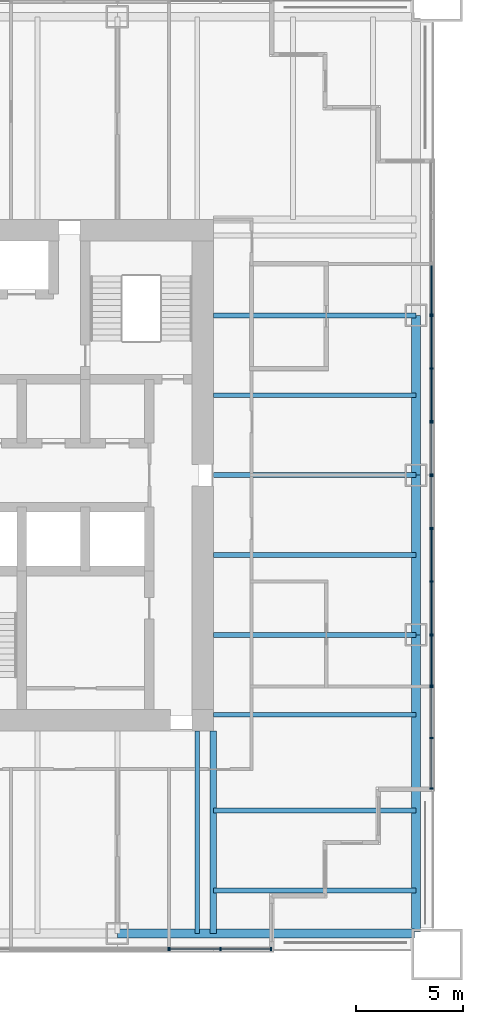
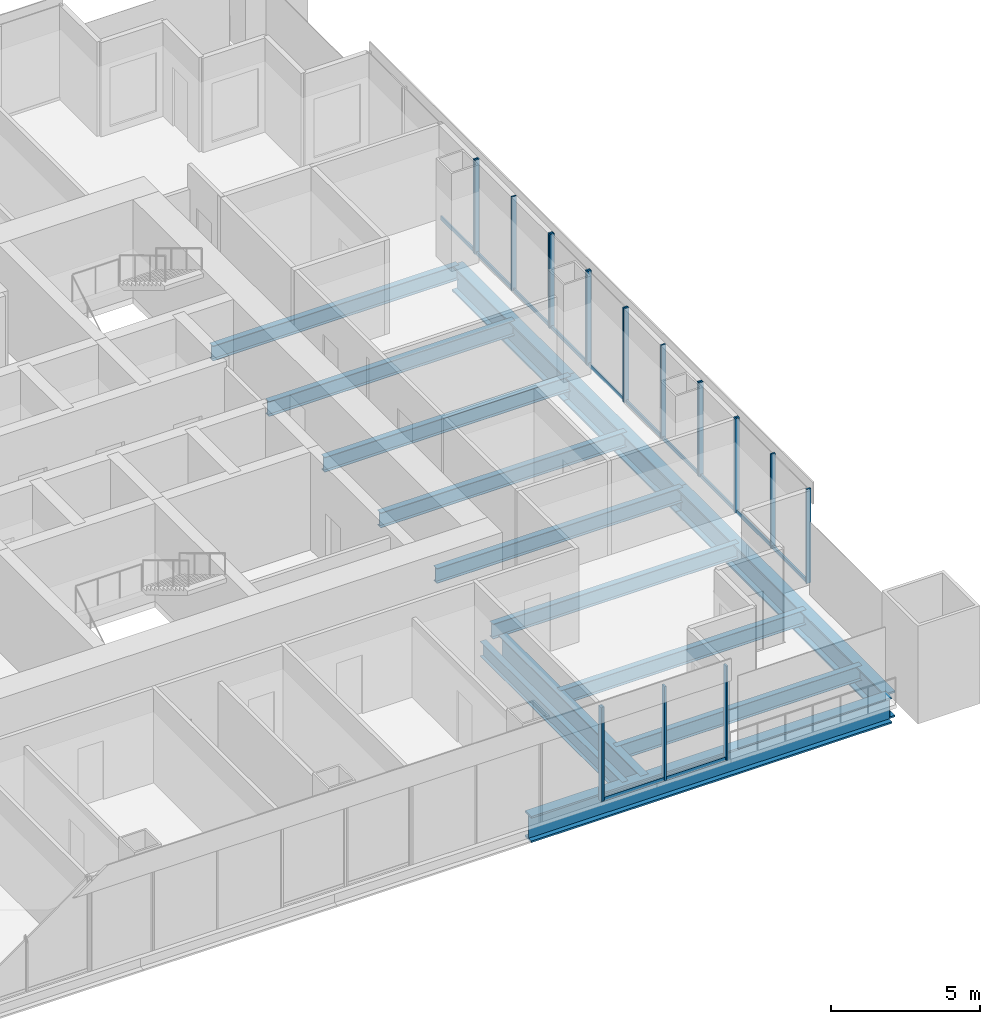
# One storey, part 4 of 13: 32 members, 14 beams, 9 elements without a shape of their own.
"""IFC4 building model written with IfcOpenShell, lengths in metres."""

from ifc_helpers import new_model, si_unit, direction, frame, origin, origin_2d, place, context, subcontext, project, spatial, rectangle, i_section, extrude, material, material_profile, profile_set, type_object, element, aggregate, save


model = new_model("IFC4")

# Units and contexts
model_context = context("Model", 3, precision=1e-05, world=origin(), true_north=direction((0.0, 1.0)))
body_context = subcontext(model_context, "Body", "Model", "MODEL_VIEW")
ifc_project = project(units=[si_unit("LENGTHUNIT", "METRE"), si_unit("AREAUNIT", "SQUARE_METRE"), si_unit("VOLUMEUNIT", "CUBIC_METRE"), si_unit("PLANEANGLEUNIT", "RADIAN"), si_unit("MASSUNIT", "GRAM", prefix="KILO")], contexts=[model_context])

# Site, building, storey
site_placement = place(None, origin())
site = spatial("IfcSite", under=ifc_project, at=site_placement, CompositionType="ELEMENT")
building_placement = place(site_placement, origin())
building = spatial("IfcBuilding", under=site, at=building_placement, Name="Tarangal Relay Tower", CompositionType="ELEMENT")
storey_placement = place(building_placement, frame((0.0, 0.0, 189.89990234375)))
storey = spatial("IfcBuildingStorey", under=building, at=storey_placement, Name="L39", CompositionType="ELEMENT", Elevation=189.89990234375)

# Beams
ifc_material_1 = material(Name="Steel ASTM A992", Category="steel")
ifc_material_profile_1 = material_profile(ifc_material_1, i_section(OverallWidth=0.227783203125, OverallDepth=0.60205078125, WebThickness=0.010498046875, FlangeThickness=0.014892578125, at=origin_2d()), Name="W24X68")
ifc_profile_set_1 = profile_set([ifc_material_profile_1], Name="Steel ASTM A992")
beam_type_1 = type_object("IfcBeamType", Name="Corner beam W24X68", PredefinedType="JOIST", material=ifc_profile_set_1)
for number, where, z_axis, x_axis, name in (
    (1, (12.0, -15.75, -0.450927734375), (1.0, 0.0, 0.0), (0.0, 1.0, 0.0), "Corner beam CB11 E L39"),
    (2, (12.0, -19.5, -0.450927734375), (1.0, 0.0, 0.0), (0.0, 1.0, 0.0), "Corner beam CB11 E L39"),
):
    element("IfcBeam", number, at=place(storey_placement, frame(where, z_axis=z_axis, x_axis=x_axis)), inside=storey, type_object=beam_type_1, Name=name, PredefinedType="JOIST", context=body_context, shape_type="SweptSolid", body=[
        extrude(i_section(OverallWidth=0.227783203125, OverallDepth=0.60205078125, WebThickness=0.010498046875, FlangeThickness=0.014892578125, at=origin_2d()), origin(), (0.0, 0.0, 1.0), 9.514892578125),
    ])
ifc_material_profile_2 = material_profile(ifc_material_1, i_section(OverallWidth=0.307373046875, OverallDepth=0.9423828125, WebThickness=0.022216796875, FlangeThickness=0.039794921875, at=origin_2d()), Name="W36X232")
ifc_profile_set_2 = profile_set([ifc_material_profile_2], Name="Steel ASTM A992")
beam_type_2 = type_object("IfcBeamType", Name="Corner girder W36X232", PredefinedType="BEAM", material=ifc_profile_set_2)
beam_placement = place(storey_placement, frame((12.0, -12.0, -0.62109375), z_axis=(0.0, -1.0, 0.0), x_axis=(1.0, 0.0, 0.0)))
element("IfcBeam", 3, at=beam_placement, inside=storey, type_object=beam_type_2, Name="Corner girder CG4 E L39", PredefinedType="BEAM", context=body_context, shape_type="SweptSolid", body=[
    extrude(i_section(OverallWidth=0.307373046875, OverallDepth=0.9423828125, WebThickness=0.022216796875, FlangeThickness=0.039794921875, at=origin_2d()), origin(), (0.0, 0.0, 1.0), 9.514892578125),
])
ifc_material_profile_3 = material_profile(ifc_material_1, i_section(OverallWidth=0.41650390625, OverallDepth=1.0693359375, WebThickness=0.0390625, FlangeThickness=0.070068359375, at=origin_2d()), Name="W40X503")
ifc_profile_set_3 = profile_set([ifc_material_profile_3], Name="Steel ASTM A992")
beam_type_3 = type_object("IfcBeamType", Name="Edge girder W40X503", PredefinedType="SPANDREL", material=ifc_profile_set_3)
for number, where, z_axis, x_axis, name in (
    (4, (21.514892578125, 7.5, -0.6845703125), (0.0, -1.0, 0.0), (1.0, 0.0, 0.0), "Edge girder EG8 E L39"),
    (5, (21.514892578125, 0.0, -0.6845703125), (0.0, -1.0, 0.0), (1.0, 0.0, 0.0), "Edge girder EG8 E L39"),
):
    element("IfcBeam", number, at=place(storey_placement, frame(where, z_axis=z_axis, x_axis=x_axis)), inside=storey, type_object=beam_type_3, Name=name, PredefinedType="SPANDREL", context=body_context, shape_type="SweptSolid", body=[
        extrude(i_section(OverallWidth=0.41650390625, OverallDepth=1.0693359375, WebThickness=0.0390625, FlangeThickness=0.070068359375, at=origin_2d()), origin(), (0.0, 0.0, 1.0), 7.5),
    ])
for number, where, z_axis, x_axis, name in (
    (6, (21.514892578125, -7.5, -0.6845703125), (0.0, -1.0, 0.0), (1.0, 0.0, 0.0), "Edge girder EG8 E L39"),
    (7, (21.449951171875, -21.514892578125, -0.6845703125), (-1.0, 0.0, 0.0), (0.0, -1.0, 0.0), "Edge girder EG8 S L39"),
):
    element("IfcBeam", number, at=place(storey_placement, frame(where, z_axis=z_axis, x_axis=x_axis)), inside=storey, type_object=beam_type_3, Name=name, PredefinedType="SPANDREL", context=body_context, shape_type="SweptSolid", body=[
        extrude(i_section(OverallWidth=0.41650390625, OverallDepth=1.0693359375, WebThickness=0.0390625, FlangeThickness=0.070068359375, at=origin_2d()), origin(), (0.0, 0.0, 1.0), 13.949951171875),
    ])
ifc_material_profile_4 = material_profile(ifc_material_1, i_section(OverallWidth=0.22900390625, OverallDepth=0.612060546875, WebThickness=0.011962890625, FlangeThickness=0.01953125, at=origin_2d()), Name="W24X84")
ifc_profile_set_4 = profile_set([ifc_material_profile_4], Name="Steel ASTM A992")
beam_type_4 = type_object("IfcBeamType", Name="Floor beam W24X84", PredefinedType="BEAM", material=ifc_profile_set_4)
for number, where, z_axis, x_axis, name in (
    (8, (12.0, 7.5, -0.455810546875), (1.0, 0.0, 0.0), (0.0, 1.0, 0.0), "Floor beam RB12 E L39"),
    (9, (12.0, 3.75, -0.455810546875), (1.0, 0.0, 0.0), (0.0, 1.0, 0.0), "Floor beam RB12 E L39"),
    (10, (12.0, 0.0, -0.455810546875), (1.0, 0.0, 0.0), (0.0, 1.0, 0.0), "Floor beam RB12 E L39"),
    (11, (12.0, -3.75, -0.455810546875), (1.0, 0.0, 0.0), (0.0, 1.0, 0.0), "Floor beam RB12 E L39"),
    (12, (12.0, -7.5, -0.455810546875), (1.0, 0.0, 0.0), (0.0, 1.0, 0.0), "Floor beam RB12 E L39"),
    (13, (12.0, -11.25, -0.455810546875), (1.0, 0.0, 0.0), (0.0, 1.0, 0.0), "Floor beam RB12 E L39"),
    (14, (11.25, -12.0, -0.455810546875), (0.0, -1.0, 0.0), (1.0, 0.0, 0.0), "Floor beam RB12 S L39"),
):
    element("IfcBeam", number, at=place(storey_placement, frame(where, z_axis=z_axis, x_axis=x_axis)), inside=storey, type_object=beam_type_4, Name=name, PredefinedType="BEAM", context=body_context, shape_type="SweptSolid", body=[
        extrude(i_section(OverallWidth=0.22900390625, OverallDepth=0.612060546875, WebThickness=0.011962890625, FlangeThickness=0.01953125, at=origin_2d()), origin(), (0.0, 0.0, 1.0), 9.514892578125),
    ])

# Curtain wall, members
ifc_material_2 = material(Name="Unitised curtain wall, dark glass and black aluminium", Category="aluminium")
curtain_wall_type_1 = type_object("IfcCurtainWallType", Name="Curtain wall CW-A", PredefinedType="USERDEFINED", material=ifc_material_2)
curtain_wall_1_placement = place(storey_placement, origin())
curtain_wall_1 = element("IfcCurtainWall", 15, at=curtain_wall_1_placement, inside=storey, type_object=curtain_wall_type_1, Name="Curtain wall CW-A E facade L39", ObjectType="UNITISED CURTAIN WALL", PredefinedType="USERDEFINED")
ifc_material_3 = material(Name="Black anodised aluminium mullion", Category="aluminium")
ifc_material_profile_5 = material_profile(ifc_material_3, rectangle(XDim=0.175048828125, YDim=0.06494140625, at=origin_2d()), Name="CW-AM 65X175")
ifc_profile_set_5 = profile_set([ifc_material_profile_5], Name="Black anodised aluminium mullion")
member_type_1 = type_object("IfcMemberType", Name="Mullion CW-A 65 x 175", PredefinedType="MULLION", material=ifc_profile_set_5)
member_1_placement = place(storey_placement, frame((22.25, 2.467529296875, 0.0), z_axis=(0.0, 0.0, 1.0), x_axis=(1.0, 0.0, 0.0)))
member_1 = element("IfcMember", 16, at=member_1_placement, type_object=member_type_1, Name="CW-A mullion 1", PredefinedType="MULLION", context=body_context, shape_type="SweptSolid", body=[
    extrude(rectangle(XDim=0.175048828125, YDim=0.06494140625, at=origin_2d()), origin(), (0.0, 0.0, 1.0), 3.85009765625),
])
member_2_placement = place(storey_placement, frame((22.25, 0.032470703125, 0.0), z_axis=(0.0, 0.0, 1.0), x_axis=(1.0, 0.0, 0.0)))
member_2 = element("IfcMember", 17, at=member_2_placement, type_object=member_type_1, Name="CW-A mullion 2", PredefinedType="MULLION", context=body_context, shape_type="SweptSolid", body=[
    extrude(rectangle(XDim=0.175048828125, YDim=0.06494140625, at=origin_2d()), origin(), (0.0, 0.0, 1.0), 3.85009765625),
])

curtain_wall_2_placement = place(storey_placement, origin())
curtain_wall_2 = element("IfcCurtainWall", 18, at=curtain_wall_2_placement, inside=storey, type_object=curtain_wall_type_1, Name="Curtain wall CW-A E facade L39", ObjectType="UNITISED CURTAIN WALL", PredefinedType="USERDEFINED")
member_3_placement = place(storey_placement, frame((22.25, -0.032470703125, 0.0), z_axis=(0.0, 0.0, 1.0), x_axis=(1.0, 0.0, 0.0)))
member_3 = element("IfcMember", 19, at=member_3_placement, type_object=member_type_1, Name="CW-A mullion 1", PredefinedType="MULLION", context=body_context, shape_type="SweptSolid", body=[
    extrude(rectangle(XDim=0.175048828125, YDim=0.06494140625, at=origin_2d()), origin(), (0.0, 0.0, 1.0), 3.85009765625),
])
member_4_placement = place(storey_placement, frame((22.25, -2.467529296875, 0.0), z_axis=(0.0, 0.0, 1.0), x_axis=(1.0, 0.0, 0.0)))
member_4 = element("IfcMember", 20, at=member_4_placement, type_object=member_type_1, Name="CW-A mullion 2", PredefinedType="MULLION", context=body_context, shape_type="SweptSolid", body=[
    extrude(rectangle(XDim=0.175048828125, YDim=0.06494140625, at=origin_2d()), origin(), (0.0, 0.0, 1.0), 3.85009765625),
])

curtain_wall_3_placement = place(storey_placement, origin())
curtain_wall_3 = element("IfcCurtainWall", 21, at=curtain_wall_3_placement, inside=storey, type_object=curtain_wall_type_1, Name="Curtain wall CW-A E facade L39", ObjectType="UNITISED CURTAIN WALL", PredefinedType="USERDEFINED")
member_5_placement = place(storey_placement, frame((22.25, -9.94921875, 0.0), z_axis=(0.0, 0.0, 1.0), x_axis=(1.0, 0.0, 0.0)))
member_5 = element("IfcMember", 22, at=member_5_placement, type_object=member_type_1, Name="CW-A mullion 1", PredefinedType="MULLION", context=body_context, shape_type="SweptSolid", body=[
    extrude(rectangle(XDim=0.175048828125, YDim=0.06494140625, at=origin_2d()), origin(), (0.0, 0.0, 1.0), 3.85009765625),
])
member_6_placement = place(storey_placement, frame((22.25, -12.333251953125, 0.0), z_axis=(0.0, 0.0, 1.0), x_axis=(1.0, 0.0, 0.0)))
member_6 = element("IfcMember", 23, at=member_6_placement, type_object=member_type_1, Name="CW-A mullion 2", PredefinedType="MULLION", context=body_context, shape_type="SweptSolid", body=[
    extrude(rectangle(XDim=0.175048828125, YDim=0.06494140625, at=origin_2d()), origin(), (0.0, 0.0, 1.0), 3.85009765625),
])
member_7_placement = place(storey_placement, frame((22.25, -14.717529296875, 0.0), z_axis=(0.0, 0.0, 1.0), x_axis=(1.0, 0.0, 0.0)))
member_7 = element("IfcMember", 24, at=member_7_placement, type_object=member_type_1, Name="CW-A mullion 3", PredefinedType="MULLION", context=body_context, shape_type="SweptSolid", body=[
    extrude(rectangle(XDim=0.175048828125, YDim=0.06494140625, at=origin_2d()), origin(), (0.0, 0.0, 1.0), 3.85009765625),
])

curtain_wall_4_placement = place(storey_placement, origin())
curtain_wall_4 = element("IfcCurtainWall", 25, at=curtain_wall_4_placement, inside=storey, type_object=curtain_wall_type_1, Name="Curtain wall CW-A S facade L39", ObjectType="UNITISED CURTAIN WALL", PredefinedType="USERDEFINED")
member_8_placement = place(storey_placement, frame((14.717529296875, -22.25, 0.0), z_axis=(0.0, 0.0, 1.0), x_axis=(0.0, -1.0, 0.0)))
member_8 = element("IfcMember", 26, at=member_8_placement, type_object=member_type_1, Name="CW-A mullion 1", PredefinedType="MULLION", context=body_context, shape_type="SweptSolid", body=[
    extrude(rectangle(XDim=0.175048828125, YDim=0.06494140625, at=origin_2d()), origin(), (0.0, 0.0, 1.0), 3.85009765625),
])
member_9_placement = place(storey_placement, frame((12.333251953125, -22.25, 0.0), z_axis=(0.0, 0.0, 1.0), x_axis=(0.0, -1.0, 0.0)))
member_9 = element("IfcMember", 27, at=member_9_placement, type_object=member_type_1, Name="CW-A mullion 2", PredefinedType="MULLION", context=body_context, shape_type="SweptSolid", body=[
    extrude(rectangle(XDim=0.175048828125, YDim=0.06494140625, at=origin_2d()), origin(), (0.0, 0.0, 1.0), 3.85009765625),
])
member_10_placement = place(storey_placement, frame((9.94921875, -22.25, 0.0), z_axis=(0.0, 0.0, 1.0), x_axis=(0.0, -1.0, 0.0)))
member_10 = element("IfcMember", 28, at=member_10_placement, type_object=member_type_1, Name="CW-A mullion 3", PredefinedType="MULLION", context=body_context, shape_type="SweptSolid", body=[
    extrude(rectangle(XDim=0.175048828125, YDim=0.06494140625, at=origin_2d()), origin(), (0.0, 0.0, 1.0), 3.85009765625),
])

# Curtain wall, member
ifc_material_4 = material(Name="Unitised curtain wall frame, black aluminium, with metal clad infill walls", Category="aluminium")
curtain_wall_type_2 = type_object("IfcCurtainWallType", Name="Curtain wall CW-AO", PredefinedType="USERDEFINED", material=ifc_material_4)
curtain_wall_5_placement = place(storey_placement, origin())
curtain_wall_5 = element("IfcCurtainWall", 29, at=curtain_wall_5_placement, inside=storey, type_object=curtain_wall_type_2, Name="Curtain wall CW-AO E facade L39", ObjectType="UNITISED CURTAIN WALL", PredefinedType="USERDEFINED")
ifc_material_profile_6 = material_profile(ifc_material_3, rectangle(XDim=0.175048828125, YDim=0.06494140625, at=origin_2d()), Name="CW-AOM 65X175")
ifc_profile_set_6 = profile_set([ifc_material_profile_6], Name="Black anodised aluminium mullion")
member_type_2 = type_object("IfcMemberType", Name="Mullion CW-AO 65 x 175", PredefinedType="MULLION", material=ifc_profile_set_6)
member_11_placement = place(storey_placement, frame((22.25, 7.532470703125, 0.0), z_axis=(0.0, 0.0, 1.0), x_axis=(1.0, 0.0, 0.0)))
member_11 = element("IfcMember", 30, at=member_11_placement, type_object=member_type_2, Name="CW-AO mullion 2", PredefinedType="MULLION", context=body_context, shape_type="SweptSolid", body=[
    extrude(rectangle(XDim=0.175048828125, YDim=0.06494140625, at=origin_2d()), origin(), (0.0, 0.0, 1.0), 3.85009765625),
])

# Curtain wall, members
curtain_wall_6_placement = place(storey_placement, origin())
curtain_wall_6 = element("IfcCurtainWall", 31, at=curtain_wall_6_placement, inside=storey, type_object=curtain_wall_type_2, Name="Curtain wall CW-AO E facade L39", ObjectType="UNITISED CURTAIN WALL", PredefinedType="USERDEFINED")
member_12_placement = place(storey_placement, frame((22.25, 7.467529296875, 0.0), z_axis=(0.0, 0.0, 1.0), x_axis=(1.0, 0.0, 0.0)))
member_12 = element("IfcMember", 32, at=member_12_placement, type_object=member_type_2, Name="CW-AO mullion 1", PredefinedType="MULLION", context=body_context, shape_type="SweptSolid", body=[
    extrude(rectangle(XDim=0.175048828125, YDim=0.06494140625, at=origin_2d()), origin(), (0.0, 0.0, 1.0), 3.85009765625),
])
member_13_placement = place(storey_placement, frame((22.25, 5.0, 0.0), z_axis=(0.0, 0.0, 1.0), x_axis=(1.0, 0.0, 0.0)))
member_13 = element("IfcMember", 33, at=member_13_placement, type_object=member_type_2, Name="CW-AO mullion 2", PredefinedType="MULLION", context=body_context, shape_type="SweptSolid", body=[
    extrude(rectangle(XDim=0.175048828125, YDim=0.06494140625, at=origin_2d()), origin(), (0.0, 0.0, 1.0), 3.85009765625),
])
member_14_placement = place(storey_placement, frame((22.25, 2.532470703125, 0.0), z_axis=(0.0, 0.0, 1.0), x_axis=(1.0, 0.0, 0.0)))
member_14 = element("IfcMember", 34, at=member_14_placement, type_object=member_type_2, Name="CW-AO mullion 3", PredefinedType="MULLION", context=body_context, shape_type="SweptSolid", body=[
    extrude(rectangle(XDim=0.175048828125, YDim=0.06494140625, at=origin_2d()), origin(), (0.0, 0.0, 1.0), 3.85009765625),
])

curtain_wall_7_placement = place(storey_placement, origin())
curtain_wall_7 = element("IfcCurtainWall", 35, at=curtain_wall_7_placement, inside=storey, type_object=curtain_wall_type_2, Name="Curtain wall CW-AO E facade L39", ObjectType="UNITISED CURTAIN WALL", PredefinedType="USERDEFINED")
member_15_placement = place(storey_placement, frame((22.25, -2.532470703125, 0.0), z_axis=(0.0, 0.0, 1.0), x_axis=(1.0, 0.0, 0.0)))
member_15 = element("IfcMember", 36, at=member_15_placement, type_object=member_type_2, Name="CW-AO mullion 1", PredefinedType="MULLION", context=body_context, shape_type="SweptSolid", body=[
    extrude(rectangle(XDim=0.175048828125, YDim=0.06494140625, at=origin_2d()), origin(), (0.0, 0.0, 1.0), 3.85009765625),
])
member_16_placement = place(storey_placement, frame((22.25, -5.0, 0.0), z_axis=(0.0, 0.0, 1.0), x_axis=(1.0, 0.0, 0.0)))
member_16 = element("IfcMember", 37, at=member_16_placement, type_object=member_type_2, Name="CW-AO mullion 2", PredefinedType="MULLION", context=body_context, shape_type="SweptSolid", body=[
    extrude(rectangle(XDim=0.175048828125, YDim=0.06494140625, at=origin_2d()), origin(), (0.0, 0.0, 1.0), 3.85009765625),
])
member_17_placement = place(storey_placement, frame((22.25, -7.467529296875, 0.0), z_axis=(0.0, 0.0, 1.0), x_axis=(1.0, 0.0, 0.0)))
member_17 = element("IfcMember", 38, at=member_17_placement, type_object=member_type_2, Name="CW-AO mullion 3", PredefinedType="MULLION", context=body_context, shape_type="SweptSolid", body=[
    extrude(rectangle(XDim=0.175048828125, YDim=0.06494140625, at=origin_2d()), origin(), (0.0, 0.0, 1.0), 3.85009765625),
])

curtain_wall_8_placement = place(storey_placement, origin())
curtain_wall_8 = element("IfcCurtainWall", 39, at=curtain_wall_8_placement, inside=storey, type_object=curtain_wall_type_2, Name="Curtain wall CW-AO E facade L39", ObjectType="UNITISED CURTAIN WALL", PredefinedType="USERDEFINED")
member_18_placement = place(storey_placement, frame((22.25, -7.532470703125, 0.0), z_axis=(0.0, 0.0, 1.0), x_axis=(1.0, 0.0, 0.0)))
member_18 = element("IfcMember", 40, at=member_18_placement, type_object=member_type_2, Name="CW-AO mullion 1", PredefinedType="MULLION", context=body_context, shape_type="SweptSolid", body=[
    extrude(rectangle(XDim=0.175048828125, YDim=0.06494140625, at=origin_2d()), origin(), (0.0, 0.0, 1.0), 3.85009765625),
])
member_19_placement = place(storey_placement, frame((22.25, -9.88427734375, 0.0), z_axis=(0.0, 0.0, 1.0), x_axis=(1.0, 0.0, 0.0)))
member_19 = element("IfcMember", 41, at=member_19_placement, type_object=member_type_2, Name="CW-AO mullion 2", PredefinedType="MULLION", context=body_context, shape_type="SweptSolid", body=[
    extrude(rectangle(XDim=0.175048828125, YDim=0.06494140625, at=origin_2d()), origin(), (0.0, 0.0, 1.0), 3.85009765625),
])

# Curtain wall, member
curtain_wall_9_placement = place(storey_placement, origin())
curtain_wall_9 = element("IfcCurtainWall", 42, at=curtain_wall_9_placement, inside=storey, type_object=curtain_wall_type_2, Name="Curtain wall CW-AO S facade L39", ObjectType="UNITISED CURTAIN WALL", PredefinedType="USERDEFINED")
member_20_placement = place(storey_placement, frame((9.88427734375, -22.25, 0.0), z_axis=(0.0, 0.0, 1.0), x_axis=(0.0, -1.0, 0.0)))
member_20 = element("IfcMember", 43, at=member_20_placement, type_object=member_type_2, Name="CW-AO mullion 1", PredefinedType="MULLION", context=body_context, shape_type="SweptSolid", body=[
    extrude(rectangle(XDim=0.175048828125, YDim=0.06494140625, at=origin_2d()), origin(), (0.0, 0.0, 1.0), 3.85009765625),
])
aggregate(curtain_wall_9, [member_20])

# Member
ifc_material_5 = material(Name="Black anodised aluminium transom", Category="aluminium")
ifc_material_profile_7 = material_profile(ifc_material_5, rectangle(XDim=0.06494140625, YDim=0.14990234375, at=origin_2d()), Name="CW-AT 65X150")
ifc_profile_set_7 = profile_set([ifc_material_profile_7], Name="Black anodised aluminium transom")
member_type_3 = type_object("IfcMemberType", Name="Transom CW-A 65 x 150", PredefinedType="USERDEFINED", material=ifc_profile_set_7)
member_21_placement = place(storey_placement, frame((22.25, 2.43505859375, 0.03271484375), z_axis=(0.0, -1.0, 0.0), x_axis=(1.0, 0.0, 0.0)))
member_21 = element("IfcMember", 44, at=member_21_placement, type_object=member_type_3, Name="CW-A transom 1.1", ObjectType="TRANSOM", PredefinedType="USERDEFINED", context=body_context, shape_type="SweptSolid", body=[
    extrude(rectangle(XDim=0.06494140625, YDim=0.14990234375, at=origin_2d()), origin(), (0.0, 0.0, 1.0), 2.3701171875),
])

aggregate(curtain_wall_1, [member_1, member_2, member_21])

member_22_placement = place(storey_placement, frame((22.25, -0.06494140625, 0.03271484375), z_axis=(0.0, -1.0, 0.0), x_axis=(1.0, 0.0, 0.0)))
member_22 = element("IfcMember", 45, at=member_22_placement, type_object=member_type_3, Name="CW-A transom 1.1", ObjectType="TRANSOM", PredefinedType="USERDEFINED", context=body_context, shape_type="SweptSolid", body=[
    extrude(rectangle(XDim=0.06494140625, YDim=0.14990234375, at=origin_2d()), origin(), (0.0, 0.0, 1.0), 2.3701171875),
])

aggregate(curtain_wall_2, [member_3, member_4, member_22])

member_23_placement = place(storey_placement, frame((22.25, -9.981689453125, 0.03271484375), z_axis=(0.0, -1.0, 0.0), x_axis=(1.0, 0.0, 0.0)))
member_23 = element("IfcMember", 46, at=member_23_placement, type_object=member_type_3, Name="CW-A transom 1.1", ObjectType="TRANSOM", PredefinedType="USERDEFINED", context=body_context, shape_type="SweptSolid", body=[
    extrude(rectangle(XDim=0.06494140625, YDim=0.14990234375, at=origin_2d()), origin(), (0.0, 0.0, 1.0), 2.319091796875),
])

member_24_placement = place(storey_placement, frame((22.25, -12.365966796875, 0.03271484375), z_axis=(0.0, -1.0, 0.0), x_axis=(1.0, 0.0, 0.0)))
member_24 = element("IfcMember", 47, at=member_24_placement, type_object=member_type_3, Name="CW-A transom 2.1", ObjectType="TRANSOM", PredefinedType="USERDEFINED", context=body_context, shape_type="SweptSolid", body=[
    extrude(rectangle(XDim=0.06494140625, YDim=0.14990234375, at=origin_2d()), origin(), (0.0, 0.0, 1.0), 2.319091796875),
])

aggregate(curtain_wall_3, [member_5, member_6, member_7, member_23, member_24])

member_25_placement = place(storey_placement, frame((14.68505859375, -22.25, 0.03271484375), z_axis=(-1.0, 0.0, 0.0), x_axis=(0.0, -1.0, 0.0)))
member_25 = element("IfcMember", 48, at=member_25_placement, type_object=member_type_3, Name="CW-A transom 1.1", ObjectType="TRANSOM", PredefinedType="USERDEFINED", context=body_context, shape_type="SweptSolid", body=[
    extrude(rectangle(XDim=0.06494140625, YDim=0.14990234375, at=origin_2d()), origin(), (0.0, 0.0, 1.0), 2.319091796875),
])

member_26_placement = place(storey_placement, frame((12.30078125, -22.25, 0.03271484375), z_axis=(-1.0, 0.0, 0.0), x_axis=(0.0, -1.0, 0.0)))
member_26 = element("IfcMember", 49, at=member_26_placement, type_object=member_type_3, Name="CW-A transom 2.1", ObjectType="TRANSOM", PredefinedType="USERDEFINED", context=body_context, shape_type="SweptSolid", body=[
    extrude(rectangle(XDim=0.06494140625, YDim=0.14990234375, at=origin_2d()), origin(), (0.0, 0.0, 1.0), 2.319091796875),
])

aggregate(curtain_wall_4, [member_8, member_9, member_10, member_25, member_26])

ifc_material_profile_8 = material_profile(ifc_material_5, rectangle(XDim=0.06494140625, YDim=0.14990234375, at=origin_2d()), Name="CW-AOT 65X150")
ifc_profile_set_8 = profile_set([ifc_material_profile_8], Name="Black anodised aluminium transom")
member_type_4 = type_object("IfcMemberType", Name="Transom CW-AO 65 x 150", PredefinedType="USERDEFINED", material=ifc_profile_set_8)
member_27_placement = place(storey_placement, frame((22.25, 9.851806640625, 0.03271484375), z_axis=(0.0, -1.0, 0.0), x_axis=(1.0, 0.0, 0.0)))
member_27 = element("IfcMember", 50, at=member_27_placement, type_object=member_type_4, Name="CW-AO transom 1.1", ObjectType="TRANSOM", PredefinedType="USERDEFINED", context=body_context, shape_type="SweptSolid", body=[
    extrude(rectangle(XDim=0.06494140625, YDim=0.14990234375, at=origin_2d()), origin(), (0.0, 0.0, 1.0), 2.286865234375),
])

aggregate(curtain_wall_5, [member_11, member_27])

member_28_placement = place(storey_placement, frame((22.25, 7.43505859375, 0.03271484375), z_axis=(0.0, -1.0, 0.0), x_axis=(1.0, 0.0, 0.0)))
member_28 = element("IfcMember", 51, at=member_28_placement, type_object=member_type_4, Name="CW-AO transom 1.1", ObjectType="TRANSOM", PredefinedType="USERDEFINED", context=body_context, shape_type="SweptSolid", body=[
    extrude(rectangle(XDim=0.06494140625, YDim=0.14990234375, at=origin_2d()), origin(), (0.0, 0.0, 1.0), 2.402587890625),
])

member_29_placement = place(storey_placement, frame((22.25, 4.967529296875, 0.03271484375), z_axis=(0.0, -1.0, 0.0), x_axis=(1.0, 0.0, 0.0)))
member_29 = element("IfcMember", 52, at=member_29_placement, type_object=member_type_4, Name="CW-AO transom 2.1", ObjectType="TRANSOM", PredefinedType="USERDEFINED", context=body_context, shape_type="SweptSolid", body=[
    extrude(rectangle(XDim=0.06494140625, YDim=0.14990234375, at=origin_2d()), origin(), (0.0, 0.0, 1.0), 2.402587890625),
])

aggregate(curtain_wall_6, [member_12, member_13, member_14, member_28, member_29])

member_30_placement = place(storey_placement, frame((22.25, -2.56494140625, 0.03271484375), z_axis=(0.0, -1.0, 0.0), x_axis=(1.0, 0.0, 0.0)))
member_30 = element("IfcMember", 53, at=member_30_placement, type_object=member_type_4, Name="CW-AO transom 1.1", ObjectType="TRANSOM", PredefinedType="USERDEFINED", context=body_context, shape_type="SweptSolid", body=[
    extrude(rectangle(XDim=0.06494140625, YDim=0.14990234375, at=origin_2d()), origin(), (0.0, 0.0, 1.0), 2.402587890625),
])

member_31_placement = place(storey_placement, frame((22.25, -5.032470703125, 0.03271484375), z_axis=(0.0, -1.0, 0.0), x_axis=(1.0, 0.0, 0.0)))
member_31 = element("IfcMember", 54, at=member_31_placement, type_object=member_type_4, Name="CW-AO transom 2.1", ObjectType="TRANSOM", PredefinedType="USERDEFINED", context=body_context, shape_type="SweptSolid", body=[
    extrude(rectangle(XDim=0.06494140625, YDim=0.14990234375, at=origin_2d()), origin(), (0.0, 0.0, 1.0), 2.402587890625),
])

aggregate(curtain_wall_7, [member_15, member_16, member_17, member_30, member_31])

member_32_placement = place(storey_placement, frame((22.25, -7.56494140625, 0.03271484375), z_axis=(0.0, -1.0, 0.0), x_axis=(1.0, 0.0, 0.0)))
member_32 = element("IfcMember", 55, at=member_32_placement, type_object=member_type_4, Name="CW-AO transom 1.1", ObjectType="TRANSOM", PredefinedType="USERDEFINED", context=body_context, shape_type="SweptSolid", body=[
    extrude(rectangle(XDim=0.06494140625, YDim=0.14990234375, at=origin_2d()), origin(), (0.0, 0.0, 1.0), 2.286865234375),
])

aggregate(curtain_wall_8, [member_18, member_19, member_32])

save(model, "model.ifc")
